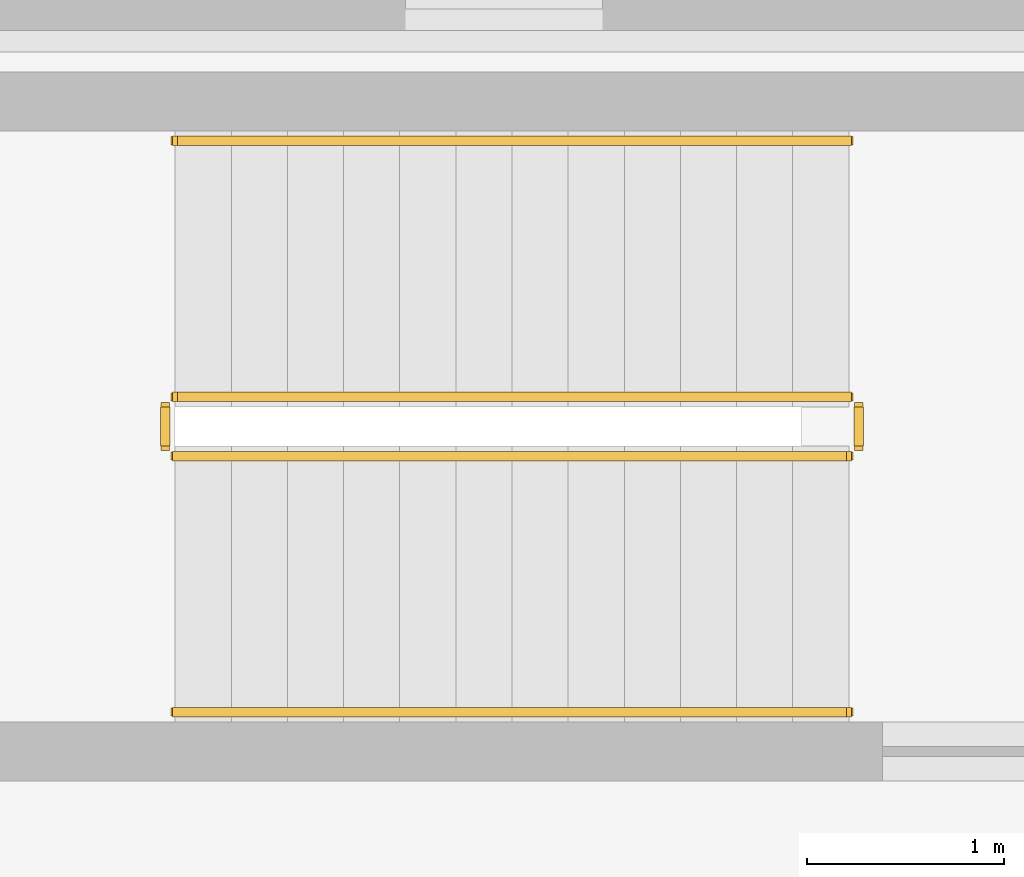
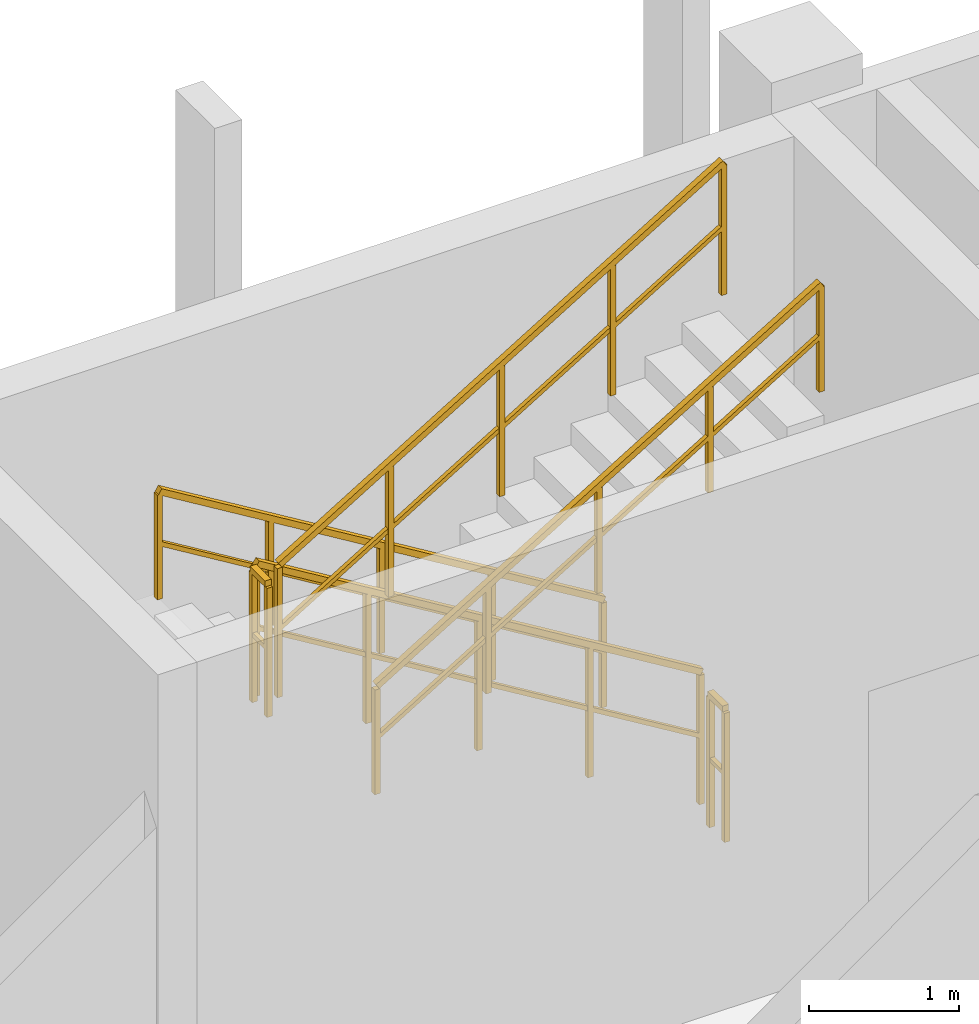
# One storey, part 104 of 110: 6 railings.
"""IFC4 building model written with IfcOpenShell, lengths in metres."""

from ifc_helpers import new_model, si_unit, direction, frame, origin, origin_2d, place, context, subcontext, project, spatial, rectangle, extrude, material, type_object, element, save


model = new_model("IFC4")

# Units and contexts
model_context = context("Model", 3, precision=1e-05, world=origin(), true_north=direction((0.0, 1.0)))
body_context = subcontext(model_context, "Body", "Model", "MODEL_VIEW")
ifc_project = project(units=[si_unit("LENGTHUNIT", "METRE"), si_unit("AREAUNIT", "SQUARE_METRE"), si_unit("VOLUMEUNIT", "CUBIC_METRE"), si_unit("PLANEANGLEUNIT", "RADIAN"), si_unit("MASSUNIT", "GRAM", prefix="KILO")], contexts=[model_context])

# Site, building, storey
site_placement = place(None, origin())
site = spatial("IfcSite", under=ifc_project, at=site_placement, CompositionType="ELEMENT")
building_placement = place(site_placement, origin())
building = spatial("IfcBuilding", under=site, at=building_placement, Name="Suanplinth Sawtooth Commons", CompositionType="ELEMENT")
storey_placement = place(building_placement, frame((0.0, 0.0, 4.5)))
storey = spatial("IfcBuildingStorey", under=building, at=storey_placement, Name="L01", CompositionType="ELEMENT", Elevation=4.5)

# Railings
ifc_material = material(Name="Stainless steel Grade 304", Category="steel")
railing_type_1 = type_object("IfcRailingType", Name="GR-04", PredefinedType="GUARDRAIL", material=ifc_material)
railing_1_placement = place(storey_placement, frame((142.14990234375, 12.39990234375, 0.173095703125)))
element("IfcRailing", 1, at=railing_1_placement, inside=storey, type_object=railing_type_1, Name="L01 ST-S1 Guard 1", PredefinedType="GUARDRAIL", context=body_context, shape_type="SweptSolid", body=[
    extrude(rectangle(XDim=0.048095703125, YDim=0.048095703125, at=origin_2d()), frame((0.0, 0.0, 1.076171875), z_axis=(-0.854729506542, 0.0, 0.519073665916), x_axis=(0.0, -1.0, 0.0)), (0.0, 0.0, 1.0), 4.001220703125),
    extrude(rectangle(XDim=0.03369140625, YDim=0.03369140625, at=origin_2d()), frame((0.0, 0.0, 0.550048828125), z_axis=(-0.854729506542, 0.0, 0.519073665916), x_axis=(0.0, -1.0, 0.0)), (0.0, 0.0, 1.0), 4.001220703125),
    extrude(rectangle(XDim=0.0419921875, YDim=0.0419921875, at=origin_2d()), origin(), (0.0, 0.0, 1.0), 1.052001953125),
    extrude(rectangle(XDim=0.0419921875, YDim=0.0419921875, at=origin_2d()), frame((-0.85498046875, 0.0, 0.519287109375)), (0.0, 0.0, 1.0), 1.052001953125),
    extrude(rectangle(XDim=0.0419921875, YDim=0.0419921875, at=origin_2d()), frame((-1.7099609375, 0.0, 1.03857421875)), (0.0, 0.0, 1.0), 1.052001953125),
    extrude(rectangle(XDim=0.0419921875, YDim=0.0419921875, at=origin_2d()), frame((-2.56494140625, 0.0, 1.5576171875)), (0.0, 0.0, 1.0), 1.052001953125),
    extrude(rectangle(XDim=0.0419921875, YDim=0.0419921875, at=origin_2d()), frame((-3.419921875, 0.0, 2.076904296875)), (0.0, 0.0, 1.0), 1.052001953125),
])
railing_2_placement = place(storey_placement, frame((138.679931640625, 12.35009765625, 2.25)))
element("IfcRailing", 2, at=railing_2_placement, inside=storey, type_object=railing_type_1, Name="L01 ST-S1 Guard 2", PredefinedType="GUARDRAIL", context=body_context, shape_type="SweptSolid", body=[
    extrude(rectangle(XDim=0.048095703125, YDim=0.048095703125, at=origin_2d()), frame((0.0, 0.0, 1.076171875), z_axis=(0.0, -1.0, 0.0), x_axis=(1.0, 0.0, 0.0)), (0.0, 0.0, 1.0), 0.2001953125),
    extrude(rectangle(XDim=0.03369140625, YDim=0.03369140625, at=origin_2d()), frame((0.0, 0.0, 0.550048828125), z_axis=(0.0, -1.0, 0.0), x_axis=(1.0, 0.0, 0.0)), (0.0, 0.0, 1.0), 0.2001953125),
    extrude(rectangle(XDim=0.0419921875, YDim=0.0419921875, at=origin_2d()), origin(), (0.0, 0.0, 1.0), 1.052001953125),
    extrude(rectangle(XDim=0.0419921875, YDim=0.0419921875, at=origin_2d()), frame((0.0, -0.2001953125, 0.0)), (0.0, 0.0, 1.0), 1.052001953125),
])
railing_3_placement = place(storey_placement, frame((138.72998046875, 12.10009765625, 2.423095703125)))
element("IfcRailing", 3, at=railing_3_placement, inside=storey, type_object=railing_type_1, Name="L01 ST-S1 Guard 3", PredefinedType="GUARDRAIL", context=body_context, shape_type="SweptSolid", body=[
    extrude(rectangle(XDim=0.048095703125, YDim=0.048095703125, at=origin_2d()), frame((0.0, 0.0, 1.076171875), z_axis=(0.854729506542, 0.0, 0.519073665916), x_axis=(0.0, 1.0, 0.0)), (0.0, 0.0, 1.0), 4.001220703125),
    extrude(rectangle(XDim=0.03369140625, YDim=0.03369140625, at=origin_2d()), frame((0.0, 0.0, 0.550048828125), z_axis=(0.854729506542, 0.0, 0.519073665916), x_axis=(0.0, 1.0, 0.0)), (0.0, 0.0, 1.0), 4.001220703125),
    extrude(rectangle(XDim=0.0419921875, YDim=0.0419921875, at=origin_2d()), origin(), (0.0, 0.0, 1.0), 1.052001953125),
    extrude(rectangle(XDim=0.0419921875, YDim=0.0419921875, at=origin_2d()), frame((0.85498046875, 0.0, 0.519287109375)), (0.0, 0.0, 1.0), 1.052001953125),
    extrude(rectangle(XDim=0.0419921875, YDim=0.0419921875, at=origin_2d()), frame((1.7099609375, 0.0, 1.03857421875)), (0.0, 0.0, 1.0), 1.052001953125),
    extrude(rectangle(XDim=0.0419921875, YDim=0.0419921875, at=origin_2d()), frame((2.56494140625, 0.0, 1.5576171875)), (0.0, 0.0, 1.0), 1.052001953125),
    extrude(rectangle(XDim=0.0419921875, YDim=0.0419921875, at=origin_2d()), frame((3.419921875, 0.0, 2.076904296875)), (0.0, 0.0, 1.0), 1.052001953125),
])
railing_4_placement = place(storey_placement, frame((142.199951171875, 12.35009765625, 0.0)))
element("IfcRailing", 4, at=railing_4_placement, inside=storey, type_object=railing_type_1, Name="L01 ST-S1 Guard 4", PredefinedType="GUARDRAIL", context=body_context, shape_type="SweptSolid", body=[
    extrude(rectangle(XDim=0.048095703125, YDim=0.048095703125, at=origin_2d()), frame((0.0, 0.0, 1.076171875), z_axis=(0.0, -1.0, 0.0), x_axis=(1.0, 0.0, 0.0)), (0.0, 0.0, 1.0), 0.2001953125),
    extrude(rectangle(XDim=0.03369140625, YDim=0.03369140625, at=origin_2d()), frame((0.0, 0.0, 0.550048828125), z_axis=(0.0, -1.0, 0.0), x_axis=(1.0, 0.0, 0.0)), (0.0, 0.0, 1.0), 0.2001953125),
    extrude(rectangle(XDim=0.0419921875, YDim=0.0419921875, at=origin_2d()), origin(), (0.0, 0.0, 1.0), 1.052001953125),
    extrude(rectangle(XDim=0.0419921875, YDim=0.0419921875, at=origin_2d()), frame((0.0, -0.2001953125, 0.0)), (0.0, 0.0, 1.0), 1.052001953125),
])
railing_type_2 = type_object("IfcRailingType", Name="HR-01", PredefinedType="HANDRAIL", material=ifc_material)
railing_5_placement = place(storey_placement, frame((142.14990234375, 13.699951171875, 0.173095703125)))
element("IfcRailing", 5, at=railing_5_placement, inside=storey, type_object=railing_type_2, Name="L01 ST-S1 Handrail 1", PredefinedType="HANDRAIL", context=body_context, shape_type="SweptSolid", body=[
    extrude(rectangle(XDim=0.048095703125, YDim=0.048095703125, at=origin_2d()), frame((0.0, 0.0, 0.8759765625), z_axis=(-0.854729506542, 0.0, 0.519073665916), x_axis=(0.0, -1.0, 0.0)), (0.0, 0.0, 1.0), 4.001220703125),
    extrude(rectangle(XDim=0.03369140625, YDim=0.03369140625, at=origin_2d()), frame((0.0, 0.0, 0.449951171875), z_axis=(-0.854729506542, 0.0, 0.519073665916), x_axis=(0.0, -1.0, 0.0)), (0.0, 0.0, 1.0), 4.001220703125),
    extrude(rectangle(XDim=0.0419921875, YDim=0.0419921875, at=origin_2d()), origin(), (0.0, 0.0, 1.0), 0.851806640625),
    extrude(rectangle(XDim=0.0419921875, YDim=0.0419921875, at=origin_2d()), frame((-0.85498046875, 0.0, 0.519287109375)), (0.0, 0.0, 1.0), 0.851806640625),
    extrude(rectangle(XDim=0.0419921875, YDim=0.0419921875, at=origin_2d()), frame((-1.7099609375, 0.0, 1.03857421875)), (0.0, 0.0, 1.0), 0.851806640625),
    extrude(rectangle(XDim=0.0419921875, YDim=0.0419921875, at=origin_2d()), frame((-2.56494140625, 0.0, 1.5576171875)), (0.0, 0.0, 1.0), 0.851806640625),
    extrude(rectangle(XDim=0.0419921875, YDim=0.0419921875, at=origin_2d()), frame((-3.419921875, 0.0, 2.076904296875)), (0.0, 0.0, 1.0), 0.851806640625),
])
railing_6_placement = place(storey_placement, frame((138.72998046875, 10.800048828125, 2.423095703125)))
element("IfcRailing", 6, at=railing_6_placement, inside=storey, type_object=railing_type_2, Name="L01 ST-S1 Handrail 2", PredefinedType="HANDRAIL", context=body_context, shape_type="SweptSolid", body=[
    extrude(rectangle(XDim=0.048095703125, YDim=0.048095703125, at=origin_2d()), frame((0.0, 0.0, 0.8759765625), z_axis=(0.854729506542, 0.0, 0.519073665916), x_axis=(0.0, 1.0, 0.0)), (0.0, 0.0, 1.0), 4.001220703125),
    extrude(rectangle(XDim=0.03369140625, YDim=0.03369140625, at=origin_2d()), frame((0.0, 0.0, 0.449951171875), z_axis=(0.854729506542, 0.0, 0.519073665916), x_axis=(0.0, 1.0, 0.0)), (0.0, 0.0, 1.0), 4.001220703125),
    extrude(rectangle(XDim=0.0419921875, YDim=0.0419921875, at=origin_2d()), origin(), (0.0, 0.0, 1.0), 0.851806640625),
    extrude(rectangle(XDim=0.0419921875, YDim=0.0419921875, at=origin_2d()), frame((0.85498046875, 0.0, 0.519287109375)), (0.0, 0.0, 1.0), 0.851806640625),
    extrude(rectangle(XDim=0.0419921875, YDim=0.0419921875, at=origin_2d()), frame((1.7099609375, 0.0, 1.03857421875)), (0.0, 0.0, 1.0), 0.851806640625),
    extrude(rectangle(XDim=0.0419921875, YDim=0.0419921875, at=origin_2d()), frame((2.56494140625, 0.0, 1.5576171875)), (0.0, 0.0, 1.0), 0.851806640625),
    extrude(rectangle(XDim=0.0419921875, YDim=0.0419921875, at=origin_2d()), frame((3.419921875, 0.0, 2.076904296875)), (0.0, 0.0, 1.0), 0.851806640625),
])

save(model, "model.ifc")
